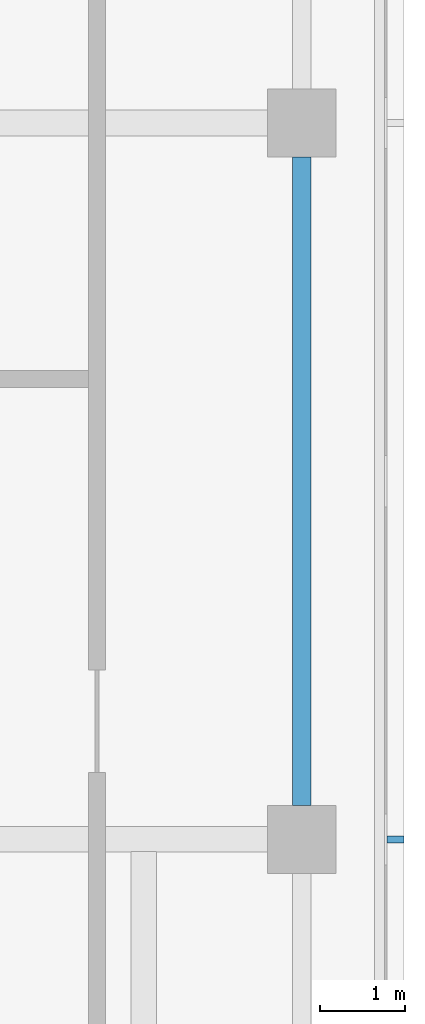
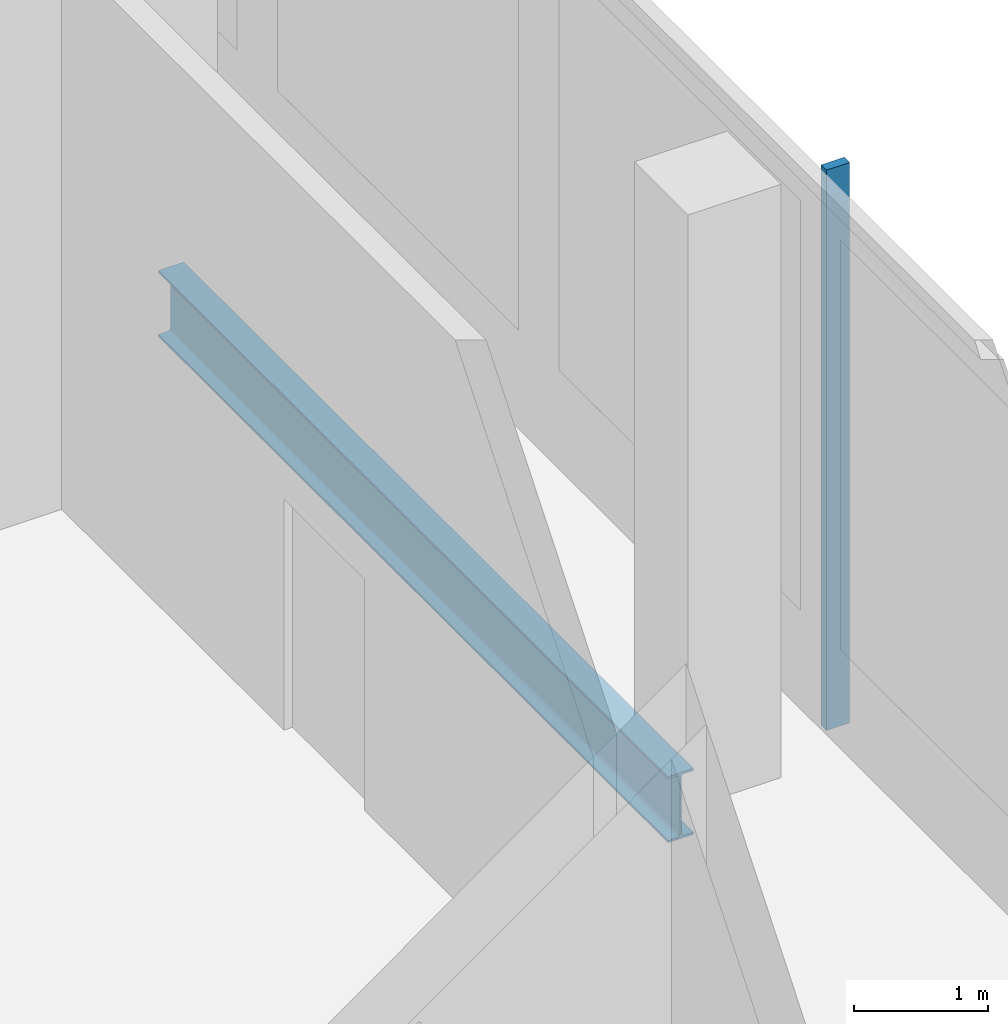
# One storey, part 14 of 39: 1 beam, 1 member, 1 element without a shape of its own.
"""IFC4 building model written with IfcOpenShell, lengths in metres."""

from ifc_helpers import new_model, si_unit, direction, frame, origin, origin_2d, place, context, subcontext, project, spatial, rectangle, i_section, extrude, material, material_profile, profile_set, type_object, element, aggregate, save


model = new_model("IFC4")

# Units and contexts
model_context = context("Model", 3, precision=1e-05, world=origin(), true_north=direction((0.0, 1.0)))
body_context = subcontext(model_context, "Body", "Model", "MODEL_VIEW")
ifc_project = project(units=[si_unit("LENGTHUNIT", "METRE"), si_unit("AREAUNIT", "SQUARE_METRE"), si_unit("VOLUMEUNIT", "CUBIC_METRE"), si_unit("PLANEANGLEUNIT", "RADIAN"), si_unit("MASSUNIT", "GRAM", prefix="KILO")], contexts=[model_context])

# Site, building, storey
site_placement = place(None, origin())
site = spatial("IfcSite", under=ifc_project, at=site_placement, CompositionType="ELEMENT")
building_placement = place(site_placement, origin())
building = spatial("IfcBuilding", under=site, at=building_placement, Name="Saffron Gate Tower", CompositionType="ELEMENT")
storey_placement = place(building_placement, frame((0.0, 0.0, 9.0)))
storey = spatial("IfcBuildingStorey", under=building, at=storey_placement, Name="L01", CompositionType="ELEMENT", Elevation=9.0)

# Beam
ifc_material_1 = material(Name="Structural steel S355", Category="steel")
ifc_material_profile_1 = material_profile(ifc_material_1, i_section(OverallWidth=0.219970703125, OverallDepth=0.60009765625, WebThickness=0.011962890625, FlangeThickness=0.01904296875, FilletRadius=0.02392578125, at=origin_2d()))
ifc_profile_set_1 = profile_set([ifc_material_profile_1], Name="Structural steel S355")
beam_type = type_object("IfcBeamType", Name="B15 IPE 600", PredefinedType="BEAM", material=ifc_profile_set_1)
beam_placement = place(storey_placement, frame((142.199951171875, 49.0, -0.60009765625), z_axis=(0.0, 1.0, 0.0), x_axis=(-1.0, 0.0, 0.0)))
element("IfcBeam", 1, at=beam_placement, inside=storey, type_object=beam_type, Name="B15 PODIUM EDGE BEAM", PredefinedType="BEAM", context=body_context, shape_type="SweptSolid", body=[
    extrude(i_section(OverallWidth=0.219970703125, OverallDepth=0.60009765625, WebThickness=0.011962890625, FlangeThickness=0.01904296875, FilletRadius=0.02392578125, at=origin_2d()), origin(), (0.0, 0.0, 1.0), 7.60009765625),
])

# Curtain wall, member
ifc_material_2 = material(Name="Aluminium, bronze anodised", Category="aluminium")
curtain_wall_type = type_object("IfcCurtainWallType", Name="CWS5 curtain wall podium ring base", PredefinedType="NOTDEFINED", material=ifc_material_2)
curtain_wall_placement = place(storey_placement, origin())
curtain_wall = element("IfcCurtainWall", 2, at=curtain_wall_placement, inside=storey, type_object=curtain_wall_type, Name="CWS5 run 2", PredefinedType="NOTDEFINED")
ifc_material_profile_2 = material_profile(ifc_material_2, rectangle(XDim=0.199951171875, YDim=0.080078125, at=origin_2d()))
ifc_profile_set_2 = profile_set([ifc_material_profile_2], Name="Aluminium, bronze anodised")
member_type = type_object("IfcMemberType", Name="CWS5 mullion 80x200", PredefinedType="MULLION", material=ifc_profile_set_2)
member_placement = place(storey_placement, frame((143.300048828125, 48.60009765625, 0.0), z_axis=(0.0, 0.0, 1.0), x_axis=(-1.0, 0.0, 0.0)))
member = element("IfcMember", 3, at=member_placement, type_object=member_type, Name="CWS5 mullion 5", PredefinedType="MULLION", context=body_context, shape_type="SweptSolid", body=[
    extrude(rectangle(XDim=0.199951171875, YDim=0.080078125, at=origin_2d()), origin(), (0.0, 0.0, 1.0), 5.10009765625),
])
aggregate(curtain_wall, [member])

save(model, "model.ifc")
